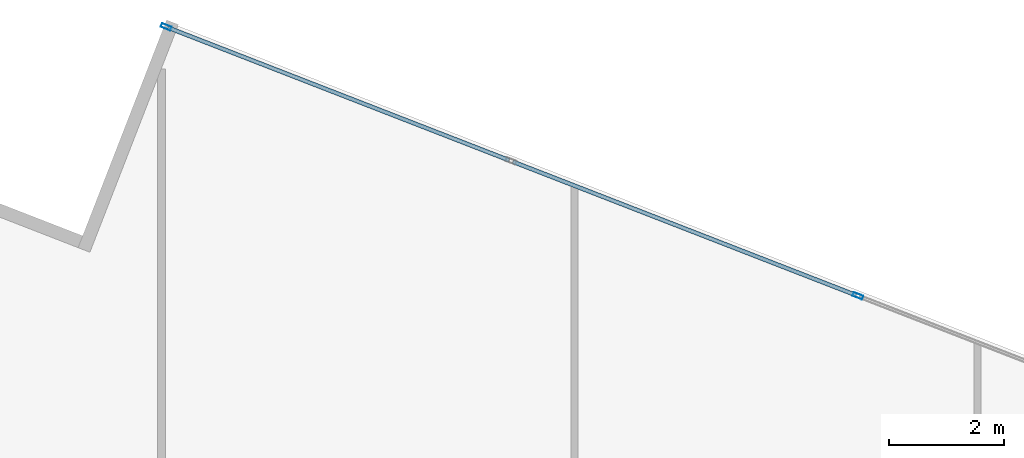
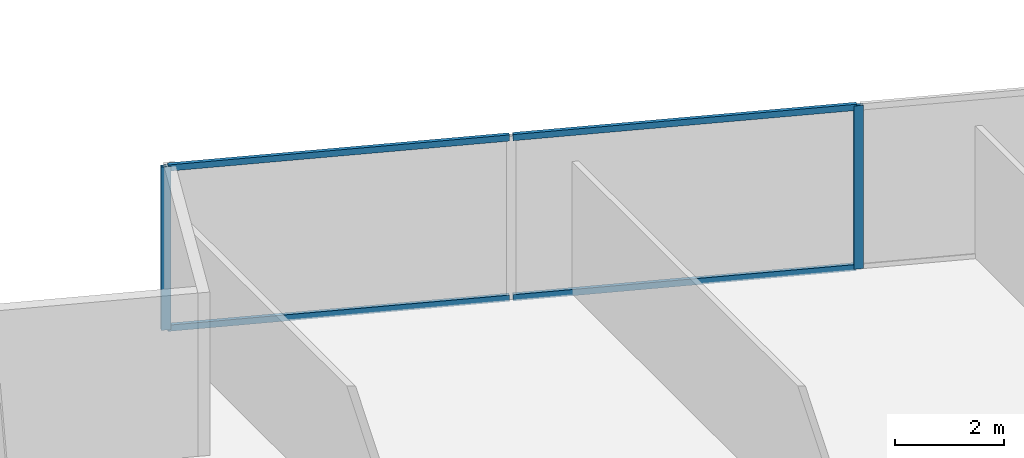
# One storey, part 17 of 26: 6 members, 1 element without a shape of its own.
"""IFC4 building model written with IfcOpenShell, lengths in metres."""

import ifcopenshell
import ifcopenshell.guid

model = None  # the IFC model being written
_history = None  # IfcOwnerHistory: only IFC2X3 demands one
_inside = {}  # id of a spatial element -> (the spatial element, [elements in it])
_under = {}  # id of a project, library or spatial element -> (it, [spatial elements below it])
_declared = {}  # id of a project -> (the project, [libraries it declares])
_typed = {}  # id of a type object -> (the type object, [elements of that type])
_made_of = {}  # id of a material, layer set ... -> (it, [elements and type objects made of it])


def new_model(schema):
    """Start an empty IFC model of exactly this schema.

    Asked for "IFC4X3", IfcOpenShell would pick the latest addendum, in which some entities
    have other attributes; the version numbers below select the first issue.
    IFC2X3 requires an IfcOwnerHistory on every rooted entity: one is made here for all.
    """
    global model, _history
    if schema == "IFC4X3":
        model = ifcopenshell.file(schema_version=(4, 3, 0, 0))
    else:
        model = ifcopenshell.file(schema=schema)
    _inside.clear()
    _under.clear()
    _declared.clear()
    _typed.clear()
    _made_of.clear()
    _history = None
    if model.schema == "IFC2X3":
        org = make("IfcOrganization", Name="unknown")
        user = make(
            "IfcPersonAndOrganization",
            ThePerson=make("IfcPerson", FamilyName="unknown"),
            TheOrganization=org,
        )
        app = make(
            "IfcApplication",
            ApplicationDeveloper=org,
            Version="unknown",
            ApplicationFullName="unknown",
            ApplicationIdentifier="unknown",
        )
        _history = make(
            "IfcOwnerHistory",
            OwningUser=user,
            OwningApplication=app,
            ChangeAction="ADDED",
            CreationDate=0,
        )
    return model


def make(cls, **values):
    """One entity of the class cls with the attributes given. An attribute that is None is left unset."""
    return model.create_entity(
        cls, **{name: value for name, value in values.items() if value is not None}
    )


def rooted(cls, **values):
    """An entity with a GlobalId (a new one), such as an element, a storey or a relation."""
    return make(cls, GlobalId=ifcopenshell.guid.new(), OwnerHistory=_history, **values)


def si_unit(unit_type, name, prefix=None):
    """IfcSIUnit, for example si_unit("LENGTHUNIT", "METRE", prefix="MILLI")."""
    return make("IfcSIUnit", UnitType=unit_type, Prefix=prefix, Name=name)


def assignment(units):
    """IfcUnitAssignment: the units of a project."""
    return None if units is None else make("IfcUnitAssignment", Units=units)


def point(xyz):
    """IfcCartesianPoint."""
    return None if xyz is None else make("IfcCartesianPoint", Coordinates=xyz)


def direction(xyz):
    """IfcDirection."""
    return None if xyz is None else make("IfcDirection", DirectionRatios=xyz)


def frame(location, z_axis=None, x_axis=None):
    """IfcAxis2Placement3D, a coordinate frame: its origin and axes. An axis left out is left unset."""
    return make(
        "IfcAxis2Placement3D",
        Location=point(location),
        Axis=direction(z_axis),
        RefDirection=direction(x_axis),
    )


def frame_2d(location, x_axis=None):
    """IfcAxis2Placement2D, a coordinate frame in the plane: its origin and x axis."""
    return make(
        "IfcAxis2Placement2D", Location=point(location), RefDirection=direction(x_axis)
    )


def origin():
    """The frame at (0, 0, 0) with its axes left unset."""
    return frame((0.0, 0.0, 0.0))


def origin_2d():
    """The frame at (0, 0) in the plane with its x axis left unset."""
    return frame_2d((0.0, 0.0))


def place(relative_to, where):
    """IfcLocalPlacement: puts the frame where relative to a parent placement (None: the world)."""
    return make(
        "IfcLocalPlacement", PlacementRelTo=relative_to, RelativePlacement=where
    )


def context(
    kind, dimensions, precision=None, world=None, true_north=None, identifier=None
):
    """IfcGeometricRepresentationContext, for example the 3D "Model" context."""
    return make(
        "IfcGeometricRepresentationContext",
        ContextIdentifier=identifier,
        ContextType=kind,
        CoordinateSpaceDimension=dimensions,
        Precision=precision,
        WorldCoordinateSystem=world,
        TrueNorth=true_north,
    )


def subcontext(parent, identifier, kind, view, scale=None):
    """IfcGeometricRepresentationSubContext, for example "Body" below "Model"."""
    return make(
        "IfcGeometricRepresentationSubContext",
        ContextIdentifier=identifier,
        ContextType=kind,
        ParentContext=parent,
        TargetScale=scale,
        TargetView=view,
    )


def project(units=None, contexts=None):
    """IfcProject with its units and contexts."""
    return rooted(
        "IfcProject",
        Name="project",
        RepresentationContexts=contexts,
        UnitsInContext=assignment(units),
    )


def spatial(cls, under=None, at=None, **own):
    """A site, building, storey or space (cls), placed at a placement, below another one or the project."""
    s = rooted(cls, ObjectPlacement=at, **own)
    if under is not None:
        _under.setdefault(under.id(), (under, []))[1].append(s)
    return s


def profile(cls, at=None, kind="AREA", **sizes):
    """A parametric profile (cls). Its sizes go by their IFC names, for example OverallWidth=200.0."""
    return make(cls, ProfileType=kind, Position=at, **sizes)


def hollow_rectangle(**sizes):
    """IfcRectangleHollowProfileDef."""
    return profile("IfcRectangleHollowProfileDef", **sizes)


def extrude(swept, where, along, depth):
    """IfcExtrudedAreaSolid: the profile swept, set in the frame where, extruded along a direction by depth."""
    return make(
        "IfcExtrudedAreaSolid",
        SweptArea=swept,
        Position=where,
        ExtrudedDirection=direction(along),
        Depth=depth,
    )


def shape(context_of_items, identifier, shape_type, items):
    """IfcShapeRepresentation: the items that make up one representation, for example the "Body"."""
    return make(
        "IfcShapeRepresentation",
        ContextOfItems=context_of_items,
        RepresentationIdentifier=identifier,
        RepresentationType=shape_type,
        Items=items,
    )


def source(mapping_origin, context_of_items, identifier, shape_type, items):
    """IfcRepresentationMap: a shape defined once, which mapped items show again and again."""
    return make(
        "IfcRepresentationMap",
        MappingOrigin=mapping_origin,
        MappedRepresentation=shape(context_of_items, identifier, shape_type, items),
    )


def transform(
    local_origin,
    x_axis=None,
    y_axis=None,
    z_axis=None,
    scale=None,
    scale2=None,
    scale3=None,
    uniform=True,
):
    """IfcCartesianTransformationOperator3D, or its non-uniform kind. x_axis, y_axis, z_axis: its Axis1, 2, 3."""
    if uniform:
        return make(
            "IfcCartesianTransformationOperator3D",
            Axis1=direction(x_axis),
            Axis2=direction(y_axis),
            LocalOrigin=point(local_origin),
            Scale=scale,
            Axis3=direction(z_axis),
        )
    return make(
        "IfcCartesianTransformationOperator3DnonUniform",
        Axis1=direction(x_axis),
        Axis2=direction(y_axis),
        LocalOrigin=point(local_origin),
        Scale=scale,
        Axis3=direction(z_axis),
        Scale2=scale2,
        Scale3=scale3,
    )


def mapped(mapping_source, mapping_target):
    """IfcMappedItem: shows the shape of a source again, moved by a transform."""
    return make(
        "IfcMappedItem", MappingSource=mapping_source, MappingTarget=mapping_target
    )


def material(Name=None, Category=None):
    """IfcMaterial."""
    return make("IfcMaterial", Name=Name, Category=Category)


def material_profile(
    of_material, cross_section, Name=None, Category=None, Priority=None
):
    """IfcMaterialProfile: a cross section and its material."""
    return make(
        "IfcMaterialProfile",
        Name=Name,
        Material=of_material,
        Profile=cross_section,
        Priority=Priority,
        Category=Category,
    )


def profile_set(profiles, Name=None, composite=None):
    """IfcMaterialProfileSet."""
    return make(
        "IfcMaterialProfileSet",
        Name=Name,
        MaterialProfiles=profiles,
        CompositeProfile=composite,
    )


def made_of(thing, what):
    """Note that an element or type object is made of a material, layer set ...; save() writes the relation."""
    if what is not None:
        _made_of.setdefault(what.id(), (what, []))[1].append(thing)
    return thing


def type_object(cls, material=None, **own):
    """A type object (cls), such as IfcWallType, which elements share."""
    return made_of(rooted(cls, **own), material)


def type_shapes(of_type, sources):
    """Give a type object the sources (RepresentationMaps) that its elements show as mapped items."""
    of_type.RepresentationMaps = sources


def element(
    cls,
    number,
    at=None,
    inside=None,
    cuts=None,
    type_object=None,
    material=None,
    context=None,
    identifier="Body",
    shape_type=None,
    held_by="IfcProductDefinitionShape",
    body=None,
    shapes=None,
    **own,
):
    """One element of the class cls, such as IfcWall. Its Tag is "e" and its number.

    at: its placement. inside: the storey or other place that contains it. cuts: it is an
    opening in that element (IfcRelVoidsElement). A single representation is given by context,
    identifier, shape_type and body (its items); several are given by shapes. held_by: the class
    of the entity that holds the representations. save() writes the other relations.
    """
    e = rooted(cls, Tag="e%d" % number, ObjectPlacement=at, **own)
    if body is not None:
        shapes = [shape(context, identifier, shape_type, body)]
    if shapes is not None:
        e.Representation = make(held_by, Representations=shapes)
    if inside is not None:
        _inside.setdefault(inside.id(), (inside, []))[1].append(e)
    if cuts is not None:
        rooted(
            "IfcRelVoidsElement", RelatingBuildingElement=cuts, RelatedOpeningElement=e
        )
    if type_object is not None:
        _typed.setdefault(type_object.id(), (type_object, []))[1].append(e)
    return made_of(e, material)


def aggregate(whole, parts):
    """IfcRelAggregates: a whole, such as a stair, and the parts it consists of."""
    return rooted("IfcRelAggregates", RelatingObject=whole, RelatedObjects=parts)


def save(model, path):
    """Write the relations noted so far, then the file.

    IfcRelAggregates (storeys below a building ...), IfcRelContainedInSpatialStructure (elements
    in a storey), IfcRelDefinesByType, IfcRelAssociatesMaterial and IfcRelDeclares: one each for
    every whole, place, type object, material and project.
    """
    for whole, parts in _under.values():
        aggregate(whole, parts)
    for where, things in _inside.values():
        rooted(
            "IfcRelContainedInSpatialStructure",
            RelatedElements=things,
            RelatingStructure=where,
        )
    for kind, things in _typed.values():
        rooted("IfcRelDefinesByType", RelatedObjects=things, RelatingType=kind)
    for what, things in _made_of.values():
        rooted("IfcRelAssociatesMaterial", RelatedObjects=things, RelatingMaterial=what)
    for by, libraries in _declared.values():
        rooted("IfcRelDeclares", RelatingContext=by, RelatedDefinitions=libraries)
    model.write(path)


model = new_model("IFC4")

# Units and contexts
model_context = context("Model", 3, precision=1e-05, world=origin(), true_north=direction((0.0, 1.0)))
body_context = subcontext(model_context, "Body", "Model", "MODEL_VIEW")
ifc_project = project(units=[si_unit("LENGTHUNIT", "METRE"), si_unit("AREAUNIT", "SQUARE_METRE"), si_unit("VOLUMEUNIT", "CUBIC_METRE"), si_unit("PLANEANGLEUNIT", "RADIAN"), si_unit("MASSUNIT", "GRAM", prefix="KILO")], contexts=[model_context])

# Site, building, storey
site_placement = place(None, origin())
site = spatial("IfcSite", under=ifc_project, at=site_placement, CompositionType="ELEMENT")
building_placement = place(site_placement, origin())
building = spatial("IfcBuilding", under=site, at=building_placement, Name="Krantzveldt Concourse Tower", CompositionType="ELEMENT")
storey_placement = place(building_placement, frame((0.0, 0.0, 133.5)))
storey = spatial("IfcBuildingStorey", under=building, at=storey_placement, Name="L32", CompositionType="ELEMENT", Elevation=133.5)

# Curtain wall, members
ifc_material = material(Name="Anodised aluminium 6063-T6", Category="aluminium")
curtain_wall_type = type_object("IfcCurtainWallType", Name="CW2", PredefinedType="USERDEFINED", material=ifc_material)
curtain_wall_placement = place(storey_placement, origin())
curtain_wall = element("IfcCurtainWall", 1, at=curtain_wall_placement, inside=storey, type_object=curtain_wall_type, Name="CW-L32-F14", ObjectType="UNITISED CURTAIN WALL", PredefinedType="USERDEFINED")
ifc_material_profile_1 = material_profile(ifc_material, hollow_rectangle(XDim=0.070068359375, YDim=0.179931640625, WallThickness=0.0048828125, at=origin_2d()), Name="Anodised aluminium 6063-T6", Category="aluminium")
ifc_profile_set_1 = profile_set([ifc_material_profile_1], Name="Anodised aluminium 6063-T6 - ALU-MULL 180x70x5")
member_type_1 = type_object("IfcMemberType", Name="CW-MUL-180", PredefinedType="MULLION", material=ifc_profile_set_1)
shared_shape_1 = source(origin(), body_context, "Body", "SweptSolid", [
    extrude(hollow_rectangle(XDim=0.070068359375, YDim=0.179931640625, WallThickness=0.0048828125, at=origin_2d()), origin(), (0.0, 0.0, 1.0), 3.669921875),
])
type_shapes(member_type_1, [shared_shape_1])
member_1_placement = place(storey_placement, frame((38.42138671875, 50.768798828125, 0.0), z_axis=(0.0, 0.0, 1.0), x_axis=(-0.362437952917, -0.93200790248, 0.0)))
member_1 = element("IfcMember", 2, at=member_1_placement, type_object=member_type_1, Name="CW-Z12 mullion 5", PredefinedType="MULLION", context=body_context, shape_type="MappedRepresentation", body=[
    mapped(shared_shape_1, transform((0.0, 0.0, 0.0), x_axis=(1.0, 0.0, 0.0), y_axis=(0.0, 1.0, 0.0), z_axis=(0.0, 0.0, 1.0), scale=1.0)),
])
member_2_placement = place(storey_placement, frame((26.400146484375, 55.443603515625, 0.0), z_axis=(0.0, 0.0, 1.0), x_axis=(-0.362437952917, -0.93200790248, 0.0)))
member_2 = element("IfcMember", 3, at=member_2_placement, type_object=member_type_1, Name="CW-Z12 mullion 7", PredefinedType="MULLION", context=body_context, shape_type="MappedRepresentation", body=[
    mapped(shared_shape_1, transform((0.0, 0.0, 0.0), x_axis=(1.0, 0.0, 0.0), y_axis=(0.0, 1.0, 0.0), z_axis=(0.0, 0.0, 1.0), scale=1.0)),
])
ifc_material_profile_2 = material_profile(ifc_material, hollow_rectangle(XDim=0.070068359375, YDim=0.139892578125, WallThickness=0.0048828125, at=origin_2d()), Name="Anodised aluminium 6063-T6", Category="aluminium")
ifc_profile_set_2 = profile_set([ifc_material_profile_2], Name="Anodised aluminium 6063-T6 - ALU-TRAN 140x70x5")
member_type_2 = type_object("IfcMemberType", Name="CW-TRN-150", PredefinedType="USERDEFINED", material=ifc_profile_set_2)
shared_shape_2 = source(origin(), body_context, "Body", "SweptSolid", [
    extrude(hollow_rectangle(XDim=0.070068359375, YDim=0.139892578125, WallThickness=0.0048828125, at=origin_2d()), origin(), (0.0, 0.0, 1.0), 6.396728515625),
])
member_3_placement = place(storey_placement, frame((38.388916015625, 50.781494140625, 0.034912109375), z_axis=(-0.932013266299, 0.362424159573, 0.0), x_axis=(-0.362424159573, -0.932013266299, 0.0)))
member_3 = element("IfcMember", 4, at=member_3_placement, type_object=member_type_2, Name="CW-Z12 transom 5.1", ObjectType="TRANSOM", PredefinedType="USERDEFINED", context=body_context, shape_type="MappedRepresentation", body=[
    mapped(shared_shape_2, transform((0.0, 0.0, 0.0), x_axis=(1.0, 0.0, 0.0), y_axis=(0.0, 1.0, 0.0), z_axis=(0.0, 0.0, 1.0), scale=1.0)),
])
member_4_placement = place(storey_placement, frame((38.388916015625, 50.781494140625, 3.635009765625), z_axis=(-0.932013266299, 0.362424159573, 0.0), x_axis=(-0.362424159573, -0.932013266299, 0.0)))
member_4 = element("IfcMember", 5, at=member_4_placement, type_object=member_type_2, Name="CW-Z12 transom 5.2", ObjectType="TRANSOM", PredefinedType="USERDEFINED", context=body_context, shape_type="MappedRepresentation", body=[
    mapped(shared_shape_2, transform((0.0, 0.0, 0.0), x_axis=(1.0, 0.0, 0.0), y_axis=(0.0, 1.0, 0.0), z_axis=(0.0, 0.0, 1.0), scale=1.0)),
])
shared_shape_3 = source(origin(), body_context, "Body", "SweptSolid", [
    extrude(hollow_rectangle(XDim=0.070068359375, YDim=0.139892578125, WallThickness=0.0048828125, at=origin_2d()), origin(), (0.0, 0.0, 1.0), 6.36181640625),
])
type_shapes(member_type_2, [shared_shape_2, shared_shape_3])
member_5_placement = place(storey_placement, frame((32.36181640625, 53.125244140625, 0.034912109375), z_axis=(-0.932011873383, 0.362427741589, 0.0), x_axis=(-0.362427741589, -0.932011873383, 0.0)))
member_5 = element("IfcMember", 6, at=member_5_placement, type_object=member_type_2, Name="CW-Z12 transom 6.1", ObjectType="TRANSOM", PredefinedType="USERDEFINED", context=body_context, shape_type="MappedRepresentation", body=[
    mapped(shared_shape_3, transform((0.0, 0.0, 0.0), x_axis=(1.0, 0.0, 0.0), y_axis=(0.0, 1.0, 0.0), z_axis=(0.0, 0.0, 1.0), scale=1.0)),
])
member_6_placement = place(storey_placement, frame((32.36181640625, 53.125244140625, 3.635009765625), z_axis=(-0.932011873383, 0.362427741589, 0.0), x_axis=(-0.362427741589, -0.932011873383, 0.0)))
member_6 = element("IfcMember", 7, at=member_6_placement, type_object=member_type_2, Name="CW-Z12 transom 6.2", ObjectType="TRANSOM", PredefinedType="USERDEFINED", context=body_context, shape_type="MappedRepresentation", body=[
    mapped(shared_shape_3, transform((0.0, 0.0, 0.0), x_axis=(1.0, 0.0, 0.0), y_axis=(0.0, 1.0, 0.0), z_axis=(0.0, 0.0, 1.0), scale=1.0)),
])
aggregate(curtain_wall, [member_1, member_2, member_3, member_4, member_5, member_6])

save(model, "model.ifc")
